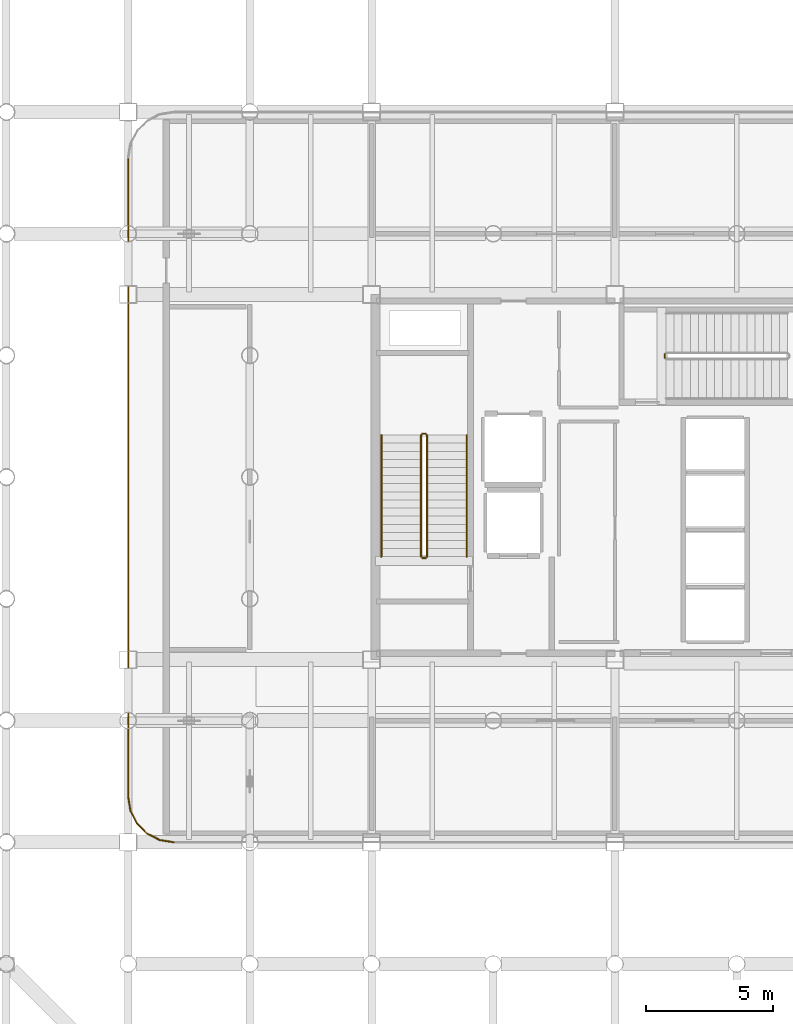
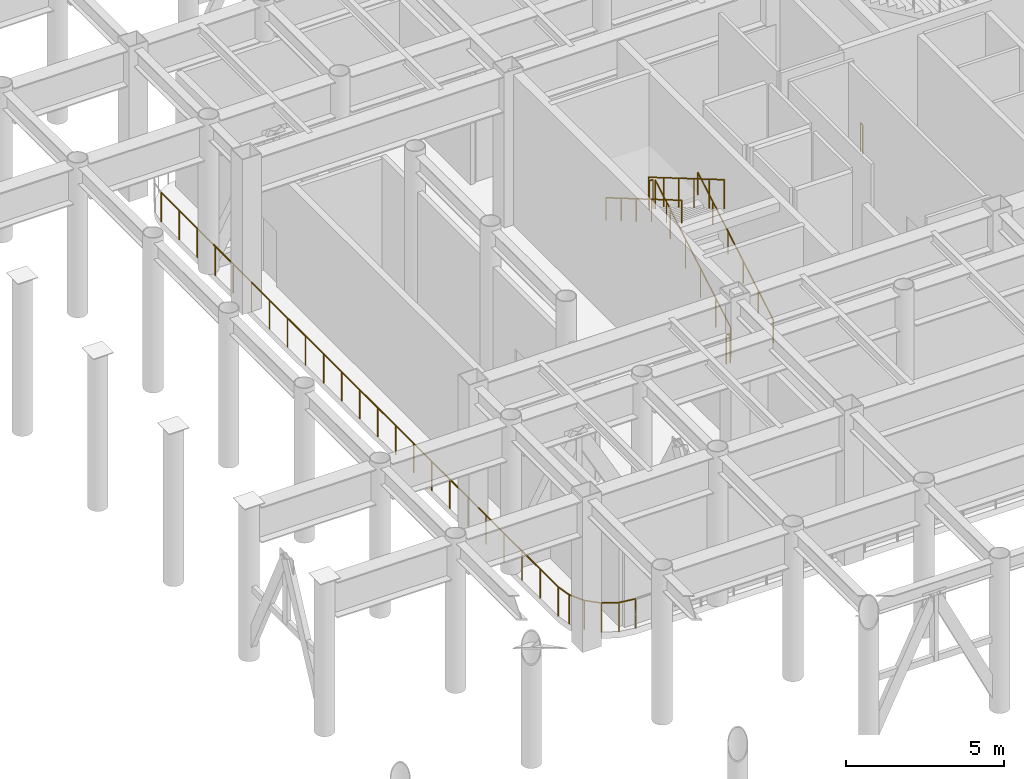
# One storey, part 17 of 20: 13 railings.
"""IFC4 building model written with IfcOpenShell, lengths in metres."""

from ifc_helpers import new_model, si_unit, direction, frame, origin, origin_2d, place, context, subcontext, project, spatial, circle, extrude, material, layer, layer_set, type_object, element, save


model = new_model("IFC4")

# Units and contexts
model_context = context("Model", 3, precision=1e-05, world=origin(), true_north=direction((0.0, 1.0)))
body_context = subcontext(model_context, "Body", "Model", "MODEL_VIEW")
ifc_project = project(units=[si_unit("LENGTHUNIT", "METRE"), si_unit("AREAUNIT", "SQUARE_METRE"), si_unit("VOLUMEUNIT", "CUBIC_METRE"), si_unit("PLANEANGLEUNIT", "RADIAN"), si_unit("MASSUNIT", "GRAM", prefix="KILO")], contexts=[model_context])

# Site, building, storey
site_placement = place(None, origin())
site = spatial("IfcSite", under=ifc_project, at=site_placement, CompositionType="ELEMENT")
building_placement = place(site_placement, origin())
building = spatial("IfcBuilding", under=site, at=building_placement, Name="Kallvorn Hotel Tower", CompositionType="ELEMENT")
storey_placement = place(building_placement, frame((0.0, 0.0, 185.5)))
storey = spatial("IfcBuildingStorey", under=building, at=storey_placement, Name="L46", CompositionType="ELEMENT", Elevation=185.5)

# Railings
ifc_material_1 = material(Name="Brushed stainless-steel tubular railing", Category="steel")
ifc_layer_1 = layer(ifc_material_1, 0.050048828125)
ifc_layer_set_1 = layer_set([ifc_layer_1], Name="RL_STAIR_GUARD")
railing_type_1 = type_object("IfcRailingType", Name="RL_STAIR_GUARD", PredefinedType="GUARDRAIL", material=ifc_layer_set_1)
railing_1_placement = place(storey_placement, frame((-12.2099609375, -3.139892578125, 0.1875)))
element("IfcRailing", 1, at=railing_1_placement, inside=storey, type_object=railing_type_1, Name="L46 ST1 stair guard 1", PredefinedType="GUARDRAIL", context=body_context, shape_type="SweptSolid", body=[
    extrude(circle(Radius=0.02392578125, at=origin_2d()), frame((0.0, 0.0, 1.1259765625), z_axis=(0.0, 0.862790387251, 0.505561813893), x_axis=(-1.0, 0.0, 0.0)), (0.0, 0.0, 1.0), 5.563232421875),
    extrude(circle(Radius=0.02099609375, at=origin_2d()), origin(), (0.0, 0.0, 1.0), 1.101806640625),
    extrude(circle(Radius=0.02099609375, at=origin_2d()), frame((0.0, 0.9599609375, 0.5625)), (0.0, 0.0, 1.0), 1.101806640625),
    extrude(circle(Radius=0.02099609375, at=origin_2d()), frame((0.0, 1.919921875, 1.125)), (0.0, 0.0, 1.0), 1.101806640625),
    extrude(circle(Radius=0.02099609375, at=origin_2d()), frame((0.0, 2.8798828125, 1.6875)), (0.0, 0.0, 1.0), 1.101806640625),
    extrude(circle(Radius=0.02099609375, at=origin_2d()), frame((0.0, 3.83984375, 2.25)), (0.0, 0.0, 1.0), 1.101806640625),
    extrude(circle(Radius=0.02099609375, at=origin_2d()), frame((0.0, 4.7998046875, 2.8125)), (0.0, 0.0, 1.0), 1.101806640625),
])
railing_2_placement = place(storey_placement, frame((-12.260009765625, 1.7099609375, 3.0)))
element("IfcRailing", 2, at=railing_2_placement, inside=storey, type_object=railing_type_1, Name="L46 ST1 stair guard 2", PredefinedType="GUARDRAIL", context=body_context, shape_type="SweptSolid", body=[
    extrude(circle(Radius=0.02392578125, at=origin_2d()), frame((0.0, 0.0, 1.1259765625), z_axis=(-1.0, 0.0, 0.0), x_axis=(0.0, -1.0, 0.0)), (0.0, 0.0, 1.0), 0.139892578125),
    extrude(circle(Radius=0.02099609375, at=origin_2d()), origin(), (0.0, 0.0, 1.0), 1.101806640625),
    extrude(circle(Radius=0.02099609375, at=origin_2d()), frame((-0.139892578125, 0.0, 0.0)), (0.0, 0.0, 1.0), 1.101806640625),
])
railing_3_placement = place(storey_placement, frame((-12.449951171875, 1.659912109375, 3.1875)))
element("IfcRailing", 3, at=railing_3_placement, inside=storey, type_object=railing_type_1, Name="L46 ST1 stair guard 3", PredefinedType="GUARDRAIL", context=body_context, shape_type="SweptSolid", body=[
    extrude(circle(Radius=0.02392578125, at=origin_2d()), frame((0.0, 0.0, 1.1259765625), z_axis=(0.0, -0.862790387251, 0.505561813893), x_axis=(1.0, 0.0, 0.0)), (0.0, 0.0, 1.0), 5.563232421875),
    extrude(circle(Radius=0.02099609375, at=origin_2d()), origin(), (0.0, 0.0, 1.0), 1.101806640625),
    extrude(circle(Radius=0.02099609375, at=origin_2d()), frame((0.0, -0.9599609375, 0.5625)), (0.0, 0.0, 1.0), 1.101806640625),
    extrude(circle(Radius=0.02099609375, at=origin_2d()), frame((0.0, -1.919921875, 1.125)), (0.0, 0.0, 1.0), 1.101806640625),
    extrude(circle(Radius=0.02099609375, at=origin_2d()), frame((0.0, -2.8798828125, 1.6875)), (0.0, 0.0, 1.0), 1.101806640625),
    extrude(circle(Radius=0.02099609375, at=origin_2d()), frame((0.0, -3.83984375, 2.25)), (0.0, 0.0, 1.0), 1.101806640625),
    extrude(circle(Radius=0.02099609375, at=origin_2d()), frame((0.0, -4.7998046875, 2.8125)), (0.0, 0.0, 1.0), 1.101806640625),
])
railing_4_placement = place(storey_placement, frame((-12.260009765625, -3.18994140625, 0.0)))
element("IfcRailing", 4, at=railing_4_placement, inside=storey, type_object=railing_type_1, Name="L46 ST1 stair guard 4", PredefinedType="GUARDRAIL", context=body_context, shape_type="SweptSolid", body=[
    extrude(circle(Radius=0.02392578125, at=origin_2d()), frame((0.0, 0.0, 1.1259765625), z_axis=(-1.0, 0.0, 0.0), x_axis=(0.0, -1.0, 0.0)), (0.0, 0.0, 1.0), 0.139892578125),
    extrude(circle(Radius=0.02099609375, at=origin_2d()), origin(), (0.0, 0.0, 1.0), 1.101806640625),
    extrude(circle(Radius=0.02099609375, at=origin_2d()), frame((-0.139892578125, 0.0, 0.0)), (0.0, 0.0, 1.0), 1.101806640625),
])
railing_5_placement = place(storey_placement, frame((-2.840087890625, 4.7099609375, 0.0)))
element("IfcRailing", 5, at=railing_5_placement, inside=storey, type_object=railing_type_1, Name="L46 ST3 stair guard 4", PredefinedType="GUARDRAIL", context=body_context, shape_type="SweptSolid", body=[
    extrude(circle(Radius=0.02392578125, at=origin_2d()), frame((0.0, 0.0, 1.1259765625), z_axis=(0.0, 1.0, 0.0), x_axis=(-1.0, 0.0, 0.0)), (0.0, 0.0, 1.0), 0.14013671875),
    extrude(circle(Radius=0.02099609375, at=origin_2d()), origin(), (0.0, 0.0, 1.0), 1.101806640625),
    extrude(circle(Radius=0.02099609375, at=origin_2d()), frame((0.0, 0.14013671875, 0.0)), (0.0, 0.0, 1.0), 1.101806640625),
])
ifc_material_2 = material(Name="Brushed stainless-steel tubular railing", Category="steel")
ifc_layer_2 = layer(ifc_material_2, 0.050048828125)
ifc_layer_set_2 = layer_set([ifc_layer_2], Name="RL_STAIR_HAND")
railing_type_2 = type_object("IfcRailingType", Name="RL_STAIR_HAND", PredefinedType="HANDRAIL", material=ifc_layer_set_2)
railing_6_placement = place(storey_placement, frame((-10.64990234375, -3.139892578125, 0.1875)))
element("IfcRailing", 6, at=railing_6_placement, inside=storey, type_object=railing_type_2, Name="L46 ST1 stair handrail 1", PredefinedType="HANDRAIL", context=body_context, shape_type="SweptSolid", body=[
    extrude(circle(Radius=0.02392578125, at=origin_2d()), frame((0.0, 0.0, 0.8759765625), z_axis=(0.0, 0.862790387251, 0.505561813893), x_axis=(-1.0, 0.0, 0.0)), (0.0, 0.0, 1.0), 5.563232421875),
    extrude(circle(Radius=0.02099609375, at=origin_2d()), origin(), (0.0, 0.0, 1.0), 0.851806640625),
    extrude(circle(Radius=0.02099609375, at=origin_2d()), frame((0.0, 0.9599609375, 0.5625)), (0.0, 0.0, 1.0), 0.851806640625),
    extrude(circle(Radius=0.02099609375, at=origin_2d()), frame((0.0, 1.919921875, 1.125)), (0.0, 0.0, 1.0), 0.851806640625),
    extrude(circle(Radius=0.02099609375, at=origin_2d()), frame((0.0, 2.8798828125, 1.6875)), (0.0, 0.0, 1.0), 0.851806640625),
    extrude(circle(Radius=0.02099609375, at=origin_2d()), frame((0.0, 3.83984375, 2.25)), (0.0, 0.0, 1.0), 0.851806640625),
    extrude(circle(Radius=0.02099609375, at=origin_2d()), frame((0.0, 4.7998046875, 2.8125)), (0.0, 0.0, 1.0), 0.851806640625),
])
railing_7_placement = place(storey_placement, frame((-14.010009765625, 1.659912109375, 3.1875)))
element("IfcRailing", 7, at=railing_7_placement, inside=storey, type_object=railing_type_2, Name="L46 ST1 stair handrail 2", PredefinedType="HANDRAIL", context=body_context, shape_type="SweptSolid", body=[
    extrude(circle(Radius=0.02392578125, at=origin_2d()), frame((0.0, 0.0, 0.8759765625), z_axis=(0.0, -0.862790387251, 0.505561813893), x_axis=(1.0, 0.0, 0.0)), (0.0, 0.0, 1.0), 5.563232421875),
    extrude(circle(Radius=0.02099609375, at=origin_2d()), origin(), (0.0, 0.0, 1.0), 0.851806640625),
    extrude(circle(Radius=0.02099609375, at=origin_2d()), frame((0.0, -0.9599609375, 0.5625)), (0.0, 0.0, 1.0), 0.851806640625),
    extrude(circle(Radius=0.02099609375, at=origin_2d()), frame((0.0, -1.919921875, 1.125)), (0.0, 0.0, 1.0), 0.851806640625),
    extrude(circle(Radius=0.02099609375, at=origin_2d()), frame((0.0, -2.8798828125, 1.6875)), (0.0, 0.0, 1.0), 0.851806640625),
    extrude(circle(Radius=0.02099609375, at=origin_2d()), frame((0.0, -3.83984375, 2.25)), (0.0, 0.0, 1.0), 0.851806640625),
    extrude(circle(Radius=0.02099609375, at=origin_2d()), frame((0.0, -4.7998046875, 2.8125)), (0.0, 0.0, 1.0), 0.851806640625),
])
ifc_material_3 = material(Name="Galvanised painted steel S275JR balustrade", Category="steel")
ifc_layer_3 = layer(ifc_material_3, 0.06005859375)
ifc_layer_set_3 = layer_set([ifc_layer_3], Name="RL_WIND_GUARD_1150")
railing_type_3 = type_object("IfcRailingType", Name="RL_WIND_GUARD_1150", PredefinedType="GUARDRAIL", material=ifc_layer_set_3)
railing_8_placement = place(storey_placement, frame((-24.0, 12.60009765625, 0.0)))
element("IfcRailing", 8, at=railing_8_placement, inside=storey, type_object=railing_type_3, Name="L46 Exterior Safety Guardrail WIND-L46-18", PredefinedType="GUARDRAIL", context=body_context, shape_type="SweptSolid", body=[
    extrude(circle(Radius=0.02392578125, at=origin_2d()), frame((0.0, 0.0, 1.1259765625), z_axis=(0.0, -1.0, 0.0), x_axis=(1.0, 0.0, 0.0)), (0.0, 0.0, 1.0), 25.2001953125),
    extrude(circle(Radius=0.02099609375, at=origin_2d()), origin(), (0.0, 0.0, 1.0), 1.101806640625),
    extrude(circle(Radius=0.02099609375, at=origin_2d()), frame((0.0, -1.1455078125, 0.0)), (0.0, 0.0, 1.0), 1.101806640625),
    extrude(circle(Radius=0.02099609375, at=origin_2d()), frame((0.0, -2.291015625, 0.0)), (0.0, 0.0, 1.0), 1.101806640625),
    extrude(circle(Radius=0.02099609375, at=origin_2d()), frame((0.0, -3.436279296875, 0.0)), (0.0, 0.0, 1.0), 1.101806640625),
    extrude(circle(Radius=0.02099609375, at=origin_2d()), frame((0.0, -4.581787109375, 0.0)), (0.0, 0.0, 1.0), 1.101806640625),
    extrude(circle(Radius=0.02099609375, at=origin_2d()), frame((0.0, -5.727294921875, 0.0)), (0.0, 0.0, 1.0), 1.101806640625),
    extrude(circle(Radius=0.02099609375, at=origin_2d()), frame((0.0, -6.872802734375, 0.0)), (0.0, 0.0, 1.0), 1.101806640625),
    extrude(circle(Radius=0.02099609375, at=origin_2d()), frame((0.0, -8.018310546875, 0.0)), (0.0, 0.0, 1.0), 1.101806640625),
    extrude(circle(Radius=0.02099609375, at=origin_2d()), frame((0.0, -9.163818359375, 0.0)), (0.0, 0.0, 1.0), 1.101806640625),
    extrude(circle(Radius=0.02099609375, at=origin_2d()), frame((0.0, -10.30908203125, 0.0)), (0.0, 0.0, 1.0), 1.101806640625),
    extrude(circle(Radius=0.02099609375, at=origin_2d()), frame((0.0, -11.45458984375, 0.0)), (0.0, 0.0, 1.0), 1.101806640625),
    extrude(circle(Radius=0.02099609375, at=origin_2d()), frame((0.0, -12.60009765625, 0.0)), (0.0, 0.0, 1.0), 1.101806640625),
    extrude(circle(Radius=0.02099609375, at=origin_2d()), frame((0.0, -13.74560546875, 0.0)), (0.0, 0.0, 1.0), 1.101806640625),
    extrude(circle(Radius=0.02099609375, at=origin_2d()), frame((0.0, -14.89111328125, 0.0)), (0.0, 0.0, 1.0), 1.101806640625),
    extrude(circle(Radius=0.02099609375, at=origin_2d()), frame((0.0, -16.036376953125, 0.0)), (0.0, 0.0, 1.0), 1.101806640625),
    extrude(circle(Radius=0.02099609375, at=origin_2d()), frame((0.0, -17.181884765625, 0.0)), (0.0, 0.0, 1.0), 1.101806640625),
    extrude(circle(Radius=0.02099609375, at=origin_2d()), frame((0.0, -18.327392578125, 0.0)), (0.0, 0.0, 1.0), 1.101806640625),
    extrude(circle(Radius=0.02099609375, at=origin_2d()), frame((0.0, -19.472900390625, 0.0)), (0.0, 0.0, 1.0), 1.101806640625),
    extrude(circle(Radius=0.02099609375, at=origin_2d()), frame((0.0, -20.618408203125, 0.0)), (0.0, 0.0, 1.0), 1.101806640625),
    extrude(circle(Radius=0.02099609375, at=origin_2d()), frame((0.0, -21.763916015625, 0.0)), (0.0, 0.0, 1.0), 1.101806640625),
    extrude(circle(Radius=0.02099609375, at=origin_2d()), frame((0.0, -22.9091796875, 0.0)), (0.0, 0.0, 1.0), 1.101806640625),
    extrude(circle(Radius=0.02099609375, at=origin_2d()), frame((0.0, -24.0546875, 0.0)), (0.0, 0.0, 1.0), 1.101806640625),
    extrude(circle(Radius=0.02099609375, at=origin_2d()), frame((0.0, -25.2001953125, 0.0)), (0.0, 0.0, 1.0), 1.101806640625),
])
railing_9_placement = place(storey_placement, frame((-24.0, -12.60009765625, 0.0)))
element("IfcRailing", 9, at=railing_9_placement, inside=storey, type_object=railing_type_3, Name="L46 Exterior Safety Guardrail WIND-L46-19", PredefinedType="GUARDRAIL", context=body_context, shape_type="SweptSolid", body=[
    extrude(circle(Radius=0.02392578125, at=origin_2d()), frame((0.0, 0.0, 1.1259765625), z_axis=(0.156519160234, -0.987674922472, 0.0), x_axis=(0.987674922472, 0.156519160234, 0.0)), (0.0, 0.0, 1.0), 0.56298828125),
    extrude(circle(Radius=0.02099609375, at=origin_2d()), origin(), (0.0, 0.0, 1.0), 1.101806640625),
    extrude(circle(Radius=0.02099609375, at=origin_2d()), frame((0.088134765625, -0.55615234375, 0.0)), (0.0, 0.0, 1.0), 1.101806640625),
])
railing_10_placement = place(storey_placement, frame((-23.911865234375, -13.15625, 0.0)))
element("IfcRailing", 10, at=railing_10_placement, inside=storey, type_object=railing_type_3, Name="L46 Exterior Safety Guardrail WIND-L46-20", PredefinedType="GUARDRAIL", context=body_context, shape_type="SweptSolid", body=[
    extrude(circle(Radius=0.02392578125, at=origin_2d()), frame((0.0, 0.0, 1.1259765625), z_axis=(0.453964752271, -0.89101964271, 0.0), x_axis=(0.89101964271, 0.453964752271, 0.0)), (0.0, 0.0, 1.0), 0.56298828125),
    extrude(circle(Radius=0.02099609375, at=origin_2d()), origin(), (0.0, 0.0, 1.0), 1.101806640625),
    extrude(circle(Radius=0.02099609375, at=origin_2d()), frame((0.255615234375, -0.501708984375, 0.0)), (0.0, 0.0, 1.0), 1.101806640625),
])
railing_11_placement = place(storey_placement, frame((-23.65625, -13.657958984375, 0.0)))
element("IfcRailing", 11, at=railing_11_placement, inside=storey, type_object=railing_type_3, Name="L46 Exterior Safety Guardrail WIND-L46-21", PredefinedType="GUARDRAIL", context=body_context, shape_type="SweptSolid", body=[
    extrude(circle(Radius=0.02392578125, at=origin_2d()), frame((0.0, 0.0, 1.1259765625), z_axis=(0.707106781187, -0.707106781187, 0.0), x_axis=(0.707106781187, 0.707106781187, 0.0)), (0.0, 0.0, 1.0), 0.563232421875),
    extrude(circle(Radius=0.02099609375, at=origin_2d()), origin(), (0.0, 0.0, 1.0), 1.101806640625),
    extrude(circle(Radius=0.02099609375, at=origin_2d()), frame((0.398193359375, -0.398193359375, 0.0)), (0.0, 0.0, 1.0), 1.101806640625),
])
railing_12_placement = place(storey_placement, frame((-23.258056640625, -14.05615234375, 0.0)))
element("IfcRailing", 12, at=railing_12_placement, inside=storey, type_object=railing_type_3, Name="L46 Exterior Safety Guardrail WIND-L46-22", PredefinedType="GUARDRAIL", context=body_context, shape_type="SweptSolid", body=[
    extrude(circle(Radius=0.02392578125, at=origin_2d()), frame((0.0, 0.0, 1.1259765625), z_axis=(0.89093365011, -0.454133494803, 0.0), x_axis=(0.454133494803, 0.89093365011, 0.0)), (0.0, 0.0, 1.0), 0.5634765625),
    extrude(circle(Radius=0.02099609375, at=origin_2d()), origin(), (0.0, 0.0, 1.0), 1.101806640625),
    extrude(circle(Radius=0.02099609375, at=origin_2d()), frame((0.501953125, -0.255859375, 0.0)), (0.0, 0.0, 1.0), 1.101806640625),
])
railing_13_placement = place(storey_placement, frame((-22.756103515625, -14.31201171875, 0.0)))
element("IfcRailing", 13, at=railing_13_placement, inside=storey, type_object=railing_type_3, Name="L46 Exterior Safety Guardrail WIND-L46-23", PredefinedType="GUARDRAIL", context=body_context, shape_type="SweptSolid", body=[
    extrude(circle(Radius=0.02392578125, at=origin_2d()), frame((0.0, 0.0, 1.1259765625), z_axis=(0.987741862218, -0.156096167866, 0.0), x_axis=(0.156096167866, 0.987741862218, 0.0)), (0.0, 0.0, 1.0), 0.56298828125),
    extrude(circle(Radius=0.02099609375, at=origin_2d()), origin(), (0.0, 0.0, 1.0), 1.101806640625),
    extrude(circle(Radius=0.02099609375, at=origin_2d()), frame((0.55615234375, -0.087890625, 0.0)), (0.0, 0.0, 1.0), 1.101806640625),
])

save(model, "model.ifc")
